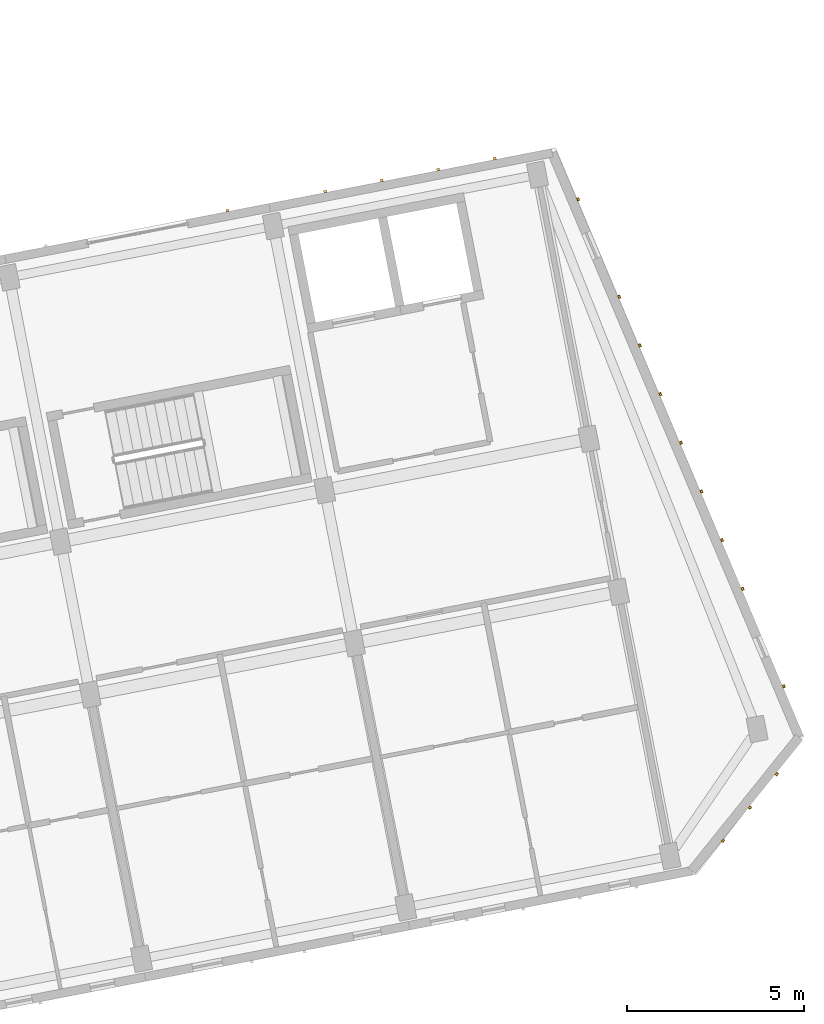
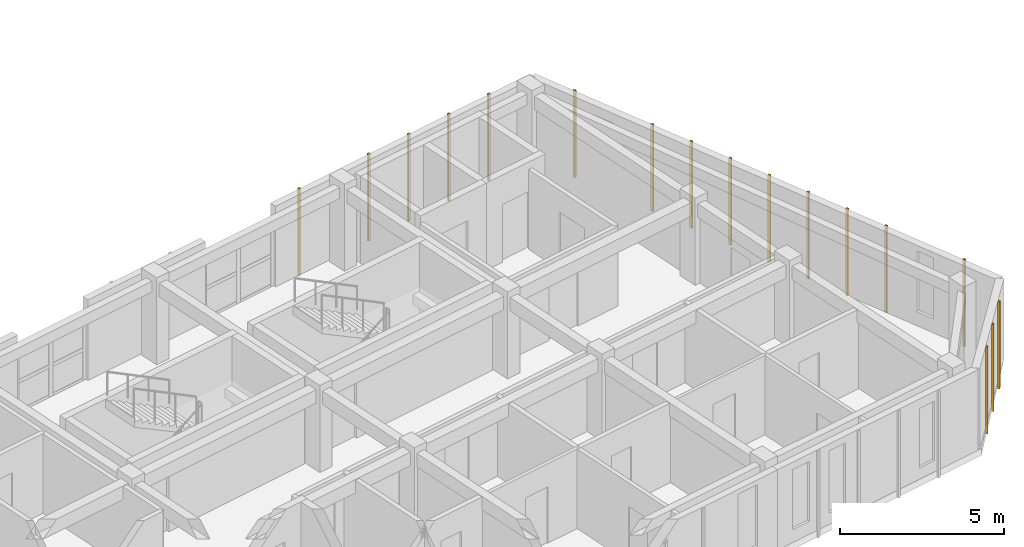
# One storey, part 62 of 66: 17 coverings.
"""IFC4 building model written with IfcOpenShell, lengths in metres."""

from ifc_helpers import new_model, si_unit, direction, frame, origin, origin_2d, place, context, subcontext, project, spatial, rectangle, extrude, material, layer, layer_set, type_object, element, save


model = new_model("IFC4")

# Units and contexts
model_context = context("Model", 3, precision=1e-05, world=origin(), true_north=direction((0.0, 1.0)))
body_context = subcontext(model_context, "Body", "Model", "MODEL_VIEW")
ifc_project = project(units=[si_unit("LENGTHUNIT", "METRE"), si_unit("AREAUNIT", "SQUARE_METRE"), si_unit("VOLUMEUNIT", "CUBIC_METRE"), si_unit("PLANEANGLEUNIT", "RADIAN"), si_unit("MASSUNIT", "GRAM", prefix="KILO")], contexts=[model_context])

# Site, building, storey
site_placement = place(None, origin())
site = spatial("IfcSite", under=ifc_project, at=site_placement, CompositionType="ELEMENT")
building_placement = place(site_placement, origin())
building = spatial("IfcBuilding", under=site, at=building_placement, Name="Kestramere Prow Commons", CompositionType="ELEMENT")
storey_placement = place(building_placement, frame((0.0, 0.0, 14.89990234375)))
storey = spatial("IfcBuildingStorey", under=building, at=storey_placement, Name="L04", CompositionType="ELEMENT", Elevation=14.89990234375)

# Coverings
ifc_material = material(Name="Weathered Zinc-Titanium Standing-Seam Cladding")
ifc_layer = layer(ifc_material, 0.074951171875)
ifc_layer_set = layer_set([ifc_layer], Name="Weathered Zinc-Titanium Standing-Seam Cladding")
covering_type = type_object("IfcCoveringType", Name="COV-CLAD-SEAM", PredefinedType="CLADDING", material=ifc_layer_set)
for number, where, z_axis, x_axis, name in (
    (1, (150.6669921875, 60.92919921875, -0.25), (0.0, 0.0, 1.0), (0.981627183448, 0.190808995377, 0.0), "EW-D-L04-NP-4-R Standing-Seam Rib 1"),
    (2, (153.427734375, 61.4658203125, -0.25), (0.0, 0.0, 1.0), (0.981627183448, 0.190808995377, 0.0), "EW-D-L04-N-5 Standing-Seam Rib 1"),
    (3, (155.02294921875, 61.77587890625, -0.25), (0.0, 0.0, 1.0), (0.981627183448, 0.190808995377, 0.0), "EW-D-L04-N-5 Standing-Seam Rib 2"),
    (4, (156.6181640625, 62.0859375, -0.25), (0.0, 0.0, 1.0), (0.981627183448, 0.190808995377, 0.0), "EW-D-L04-N-5 Standing-Seam Rib 3"),
    (5, (158.21337890625, 62.39599609375, -0.25), (0.0, 0.0, 1.0), (0.981627183448, 0.190808995377, 0.0), "EW-D-L04-N-5 Standing-Seam Rib 4"),
    (6, (160.568115234375, 61.24462890625, -0.25), (0.0, 0.0, 1.0), (0.389220414317, -0.92114465155, 0.0), "EW-D-L04-PRW-N Standing-Seam Rib 1"),
    (7, (161.72998046875, 58.4951171875, -0.25), (0.0, 0.0, 1.0), (0.389220414317, -0.92114465155, 0.0), "EW-D-L04-PRW-N Standing-Seam Rib 3"),
    (8, (162.310791015625, 57.1201171875, -0.25), (0.0, 0.0, 1.0), (0.389220414317, -0.92114465155, 0.0), "EW-D-L04-PRW-N Standing-Seam Rib 4"),
    (9, (162.891845703125, 55.745361328125, -0.25), (0.0, 0.0, 1.0), (0.389220414317, -0.92114465155, 0.0), "EW-D-L04-PRW-N Standing-Seam Rib 5"),
    (10, (163.47265625, 54.37060546875, -0.25), (0.0, 0.0, 1.0), (0.389220414317, -0.92114465155, 0.0), "EW-D-L04-PRW-N Standing-Seam Rib 6"),
    (11, (164.0537109375, 52.995849609375, -0.25), (0.0, 0.0, 1.0), (0.389220414317, -0.92114465155, 0.0), "EW-D-L04-PRW-N Standing-Seam Rib 7"),
    (12, (164.634521484375, 51.620849609375, -0.25), (0.0, 0.0, 1.0), (0.389220414317, -0.92114465155, 0.0), "EW-D-L04-PRW-N Standing-Seam Rib 8"),
    (13, (165.215576171875, 50.24609375, -0.25), (0.0, 0.0, 1.0), (0.389220414317, -0.92114465155, 0.0), "EW-D-L04-PRW-N Standing-Seam Rib 9"),
    (14, (166.37744140625, 47.496337890625, -0.25), (0.0, 0.0, 1.0), (0.389220414317, -0.92114465155, 0.0), "EW-D-L04-PRW-N Standing-Seam Rib 11"),
    (15, (166.177490234375, 45.013427734375, -0.25), (0.0, 0.0, 1.0), (-0.626297717754, -0.779583971575, 0.0), "EW-D-L04-PRW-S Standing-Seam Rib 1"),
    (16, (165.419921875, 44.0703125, -0.25), (0.0, 0.0, 1.0), (-0.626297717754, -0.779583971575, 0.0), "EW-D-L04-PRW-S Standing-Seam Rib 2"),
    (17, (164.662109375, 43.127197265625, -0.25), (0.0, 0.0, 1.0), (-0.626297717754, -0.779583971575, 0.0), "EW-D-L04-PRW-S Standing-Seam Rib 3"),
):
    element("IfcCovering", number, at=place(storey_placement, frame(where, z_axis=z_axis, x_axis=x_axis)), inside=storey, type_object=covering_type, Name=name, PredefinedType="CLADDING", context=body_context, shape_type="SweptSolid", body=[
        extrude(rectangle(XDim=0.0849609375, YDim=0.06494140625, at=origin_2d()), origin(), (0.0, 0.0, 1.0), 3.25),
    ])

save(model, "model.ifc")
